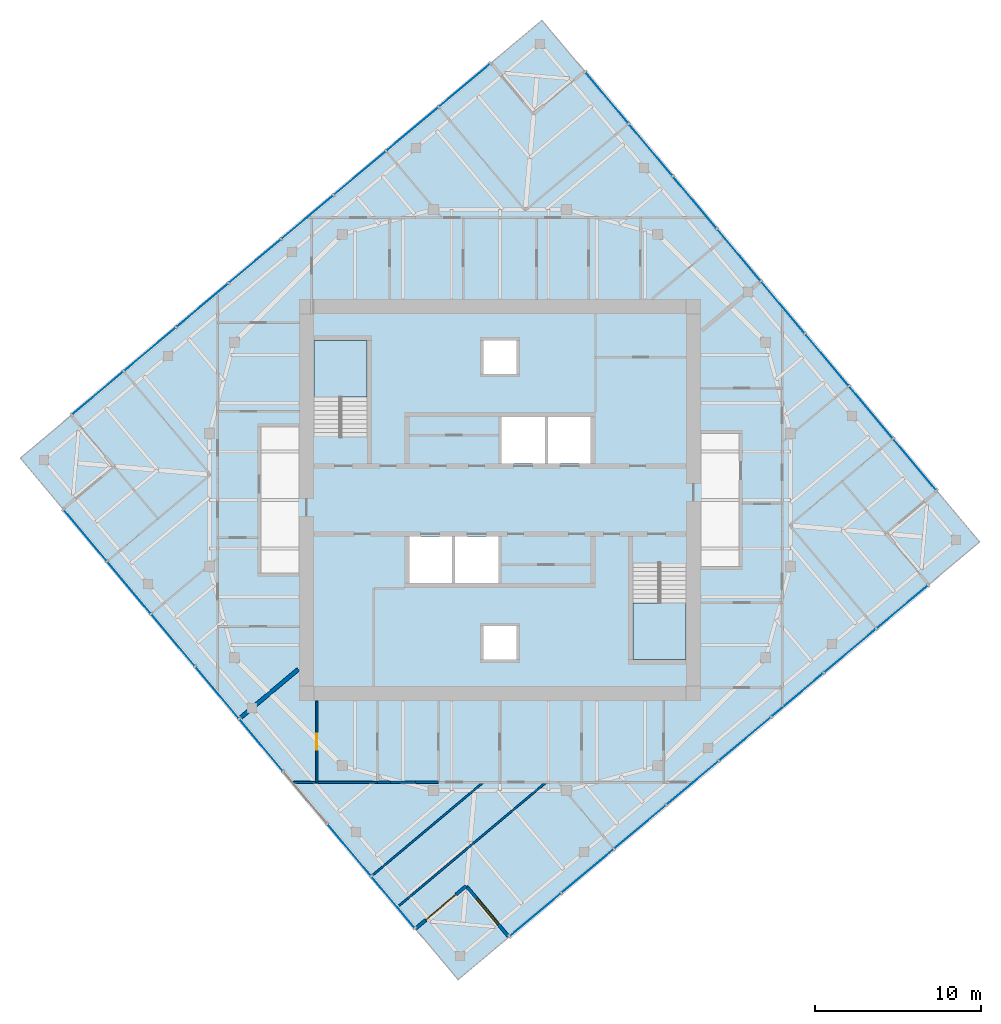
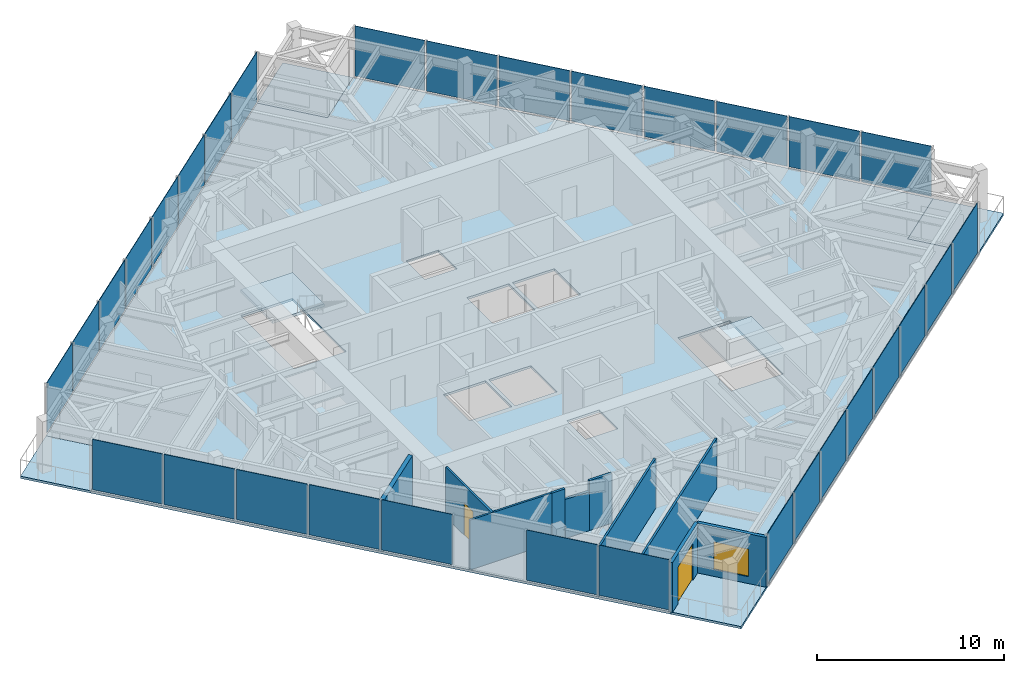
# One storey, part 6 of 12: 31 plates, 10 walls, 7 slabs, 2 doors, 1 window, 3 openings, 6 elements without a shape of their own.
"""IFC4 building model written with IfcOpenShell, lengths in metres."""

from ifc_helpers import new_model, si_unit, direction, frame, frame_2d, origin, origin_2d, place, context, subcontext, project, spatial, polyline, rectangle, outline, extrude, material, layer, layer_set, type_object, element, fill, aggregate, save


model = new_model("IFC4")

# Units and contexts
model_context = context("Model", 3, precision=1e-05, world=origin(), true_north=direction((0.0, 1.0)))
body_context = subcontext(model_context, "Body", "Model", "MODEL_VIEW")
ifc_project = project(units=[si_unit("LENGTHUNIT", "METRE"), si_unit("AREAUNIT", "SQUARE_METRE"), si_unit("VOLUMEUNIT", "CUBIC_METRE"), si_unit("PLANEANGLEUNIT", "RADIAN"), si_unit("MASSUNIT", "GRAM", prefix="KILO")], contexts=[model_context])

# Site, building, storey
site_placement = place(None, origin())
site = spatial("IfcSite", under=ifc_project, at=site_placement, CompositionType="ELEMENT")
building_placement = place(site_placement, origin())
building = spatial("IfcBuilding", under=site, at=building_placement, Name="Torsade Residences", CompositionType="ELEMENT")
storey_placement = place(building_placement, frame((0.0, 0.0, 279.39990234375)))
storey = spatial("IfcBuildingStorey", under=building, at=storey_placement, Name="L77", CompositionType="ELEMENT", Elevation=279.39990234375)

# Slab
ifc_material_1 = material(Name="Concrete 40 MPa", Category="concrete")
ifc_layer_1 = layer(ifc_material_1, 0.14990234375)
ifc_layer_set_1 = layer_set([ifc_layer_1], Name="Concrete 40 MPa")
slab_type_1 = type_object("IfcSlabType", Name="COMPOSITE FLOOR SLAB 150", PredefinedType="FLOOR", material=ifc_layer_set_1)
slab_1_placement = place(storey_placement, frame((0.0, 0.0, -0.14990234375)))
element("IfcSlab", 1, at=slab_1_placement, inside=storey, type_object=slab_type_1, Name="Floor slab L77", PredefinedType="FLOOR", context=body_context, shape_type="SweptSolid", body=[
    extrude(outline(polyline([(40.537353515625, 3.690185546875), (65.81689453125, 24.902099609375), (63.245849609375, 27.96630859375), (66.309814453125, 30.537353515625), (45.097900390625, 55.81689453125), (42.03369140625, 53.245849609375), (39.462646484375, 56.309814453125), (14.18310546875, 35.097900390625), (16.754150390625, 32.03369140625), (13.690185546875, 29.462646484375), (34.902099609375, 4.18310546875), (37.96630859375, 6.754150390625), (40.537353515625, 3.690185546875)]), holes=[polyline([(51.199951171875, 26.1201171875), (48.0, 26.1201171875), (48.0, 20.39990234375), (51.199951171875, 20.39990234375), (51.199951171875, 26.1201171875)]), polyline([(45.5, 35.0), (42.89990234375, 35.0), (42.89990234375, 32.199951171875), (45.5, 32.199951171875), (45.5, 35.0)]), polyline([(42.699951171875, 35.0), (40.10009765625, 35.0), (40.10009765625, 32.199951171875), (42.699951171875, 32.199951171875), (42.699951171875, 35.0)]), polyline([(41.0, 22.39990234375), (39.0, 22.39990234375), (39.0, 20.39990234375), (41.0, 20.39990234375), (41.0, 22.39990234375)]), polyline([(41.0, 39.60009765625), (39.0, 39.60009765625), (39.0, 37.60009765625), (41.0, 37.60009765625), (41.0, 39.60009765625)]), polyline([(39.89990234375, 27.800048828125), (37.300048828125, 27.800048828125), (37.300048828125, 25.0), (39.89990234375, 25.0), (39.89990234375, 27.800048828125)]), polyline([(37.10009765625, 27.800048828125), (34.5, 27.800048828125), (34.5, 25.0), (37.10009765625, 25.0), (37.10009765625, 27.800048828125)]), polyline([(32.0, 39.60009765625), (28.800048828125, 39.60009765625), (28.800048828125, 33.8798828125), (32.0, 33.8798828125), (32.0, 39.60009765625)])]), origin(), (0.0, 0.0, 1.0), 0.14990234375),
])

# Curtain wall, plates
ifc_material_2 = material(Name="Aluminium and glass", Category="aluminium")
curtain_wall_type = type_object("IfcCurtainWallType", Name="FRITTED GLASS CURTAIN WALL HIGH ZONE", PredefinedType="NOTDEFINED", material=ifc_material_2)
curtain_wall_1_placement = place(storey_placement, origin())
curtain_wall_1 = element("IfcCurtainWall", 2, at=curtain_wall_1_placement, inside=storey, type_object=curtain_wall_type, Name="Curtain wall L77 face 1", PredefinedType="NOTDEFINED")
ifc_material_3 = material(Name="Laminated glass", Category="glass")
ifc_layer_2 = layer(ifc_material_3, 0.031982421875)
ifc_layer_set_2 = layer_set([ifc_layer_2], Name="Laminated glass")
plate_type_1 = type_object("IfcPlateType", Name="FRITTED GLASS PANEL", PredefinedType="CURTAIN_PANEL", material=ifc_layer_set_2)
plate_1_placement = place(storey_placement, frame((42.136474609375, 5.031982421875, 0.1201171875), z_axis=(0.0, 0.0, 1.0), x_axis=(0.766044437106, 0.642787616853, 0.0)))
plate_1 = element("IfcPlate", 3, at=plate_1_placement, type_object=plate_type_1, Name="Panel 1", PredefinedType="CURTAIN_PANEL", context=body_context, shape_type="SweptSolid", body=[
    extrude(rectangle(XDim=3.97509765625, YDim=0.031982421875, at=origin_2d()), origin(), (0.0, 0.0, 1.0), 3.280029296875),
])
plate_2_placement = place(storey_placement, frame((48.437255859375, 10.31884765625, 0.1201171875), z_axis=(0.0, 0.0, 1.0), x_axis=(0.766044437106, 0.642787616853, 0.0)))
plate_2 = element("IfcPlate", 4, at=plate_2_placement, type_object=plate_type_1, Name="Panel 3", PredefinedType="CURTAIN_PANEL", context=body_context, shape_type="SweptSolid", body=[
    extrude(rectangle(XDim=4.02490234375, YDim=0.031982421875, at=origin_2d()), origin(), (0.0, 0.0, 1.0), 3.280029296875),
])
plate_3_placement = place(storey_placement, frame((51.59716796875, 12.970458984375, 0.1201171875), z_axis=(0.0, 0.0, 1.0), x_axis=(0.766044437106, 0.642787616853, 0.0)))
plate_3 = element("IfcPlate", 5, at=plate_3_placement, type_object=plate_type_1, Name="Panel 4", PredefinedType="CURTAIN_PANEL", context=body_context, shape_type="SweptSolid", body=[
    extrude(rectangle(XDim=4.02490234375, YDim=0.031982421875, at=origin_2d()), origin(), (0.0, 0.0, 1.0), 3.280029296875),
])
plate_4_placement = place(storey_placement, frame((54.757080078125, 15.621826171875, 0.1201171875), z_axis=(0.0, 0.0, 1.0), x_axis=(0.766044437106, 0.642787616853, 0.0)))
plate_4 = element("IfcPlate", 6, at=plate_4_placement, type_object=plate_type_1, Name="Panel 5", PredefinedType="CURTAIN_PANEL", context=body_context, shape_type="SweptSolid", body=[
    extrude(rectangle(XDim=4.02490234375, YDim=0.031982421875, at=origin_2d()), origin(), (0.0, 0.0, 1.0), 3.280029296875),
])
plate_5_placement = place(storey_placement, frame((61.076904296875, 20.9248046875, 0.1201171875), z_axis=(0.0, 0.0, 1.0), x_axis=(0.766044437106, 0.642787616853, 0.0)))
plate_5 = element("IfcPlate", 7, at=plate_5_placement, type_object=plate_type_1, Name="Panel 7", PredefinedType="CURTAIN_PANEL", context=body_context, shape_type="SweptSolid", body=[
    extrude(rectangle(XDim=4.02490234375, YDim=0.031982421875, at=origin_2d()), origin(), (0.0, 0.0, 1.0), 3.280029296875),
])
plate_6_placement = place(storey_placement, frame((64.2177734375, 23.560302734375, 0.1201171875), z_axis=(0.0, 0.0, 1.0), x_axis=(0.766044437106, 0.642787616853, 0.0)))
plate_6 = element("IfcPlate", 8, at=plate_6_placement, type_object=plate_type_1, Name="Panel 8", PredefinedType="CURTAIN_PANEL", context=body_context, shape_type="SweptSolid", body=[
    extrude(rectangle(XDim=3.97509765625, YDim=0.031982421875, at=origin_2d()), origin(), (0.0, 0.0, 1.0), 3.280029296875),
])

curtain_wall_2_placement = place(storey_placement, origin())
curtain_wall_2 = element("IfcCurtainWall", 9, at=curtain_wall_2_placement, inside=storey, type_object=curtain_wall_type, Name="Curtain wall L77 face 4", PredefinedType="NOTDEFINED")
plate_7_placement = place(storey_placement, frame((64.968017578125, 32.136474609375, 0.1201171875), z_axis=(0.0, 0.0, 1.0), x_axis=(-0.642787616853, 0.766044437106, 0.0)))
plate_7 = element("IfcPlate", 10, at=plate_7_placement, type_object=plate_type_1, Name="Panel 1", PredefinedType="CURTAIN_PANEL", context=body_context, shape_type="SweptSolid", body=[
    extrude(rectangle(XDim=3.97509765625, YDim=0.031982421875, at=origin_2d()), origin(), (0.0, 0.0, 1.0), 3.280029296875),
])
plate_8_placement = place(storey_placement, frame((59.68115234375, 38.437255859375, 0.1201171875), z_axis=(0.0, 0.0, 1.0), x_axis=(-0.642787616853, 0.766044437106, 0.0)))
plate_8 = element("IfcPlate", 11, at=plate_8_placement, type_object=plate_type_1, Name="Panel 3", PredefinedType="CURTAIN_PANEL", context=body_context, shape_type="SweptSolid", body=[
    extrude(rectangle(XDim=4.02490234375, YDim=0.031982421875, at=origin_2d()), origin(), (0.0, 0.0, 1.0), 3.280029296875),
])
plate_9_placement = place(storey_placement, frame((57.029541015625, 41.59716796875, 0.1201171875), z_axis=(0.0, 0.0, 1.0), x_axis=(-0.642787616853, 0.766044437106, 0.0)))
plate_9 = element("IfcPlate", 12, at=plate_9_placement, type_object=plate_type_1, Name="Panel 4", PredefinedType="CURTAIN_PANEL", context=body_context, shape_type="SweptSolid", body=[
    extrude(rectangle(XDim=4.02490234375, YDim=0.031982421875, at=origin_2d()), origin(), (0.0, 0.0, 1.0), 3.280029296875),
])
plate_10_placement = place(storey_placement, frame((54.378173828125, 44.757080078125, 0.1201171875), z_axis=(0.0, 0.0, 1.0), x_axis=(-0.642787616853, 0.766044437106, 0.0)))
plate_10 = element("IfcPlate", 13, at=plate_10_placement, type_object=plate_type_1, Name="Panel 5", PredefinedType="CURTAIN_PANEL", context=body_context, shape_type="SweptSolid", body=[
    extrude(rectangle(XDim=4.02490234375, YDim=0.031982421875, at=origin_2d()), origin(), (0.0, 0.0, 1.0), 3.280029296875),
])
plate_11_placement = place(storey_placement, frame((49.0751953125, 51.076904296875, 0.1201171875), z_axis=(0.0, 0.0, 1.0), x_axis=(-0.642787616853, 0.766044437106, 0.0)))
plate_11 = element("IfcPlate", 14, at=plate_11_placement, type_object=plate_type_1, Name="Panel 7", PredefinedType="CURTAIN_PANEL", context=body_context, shape_type="SweptSolid", body=[
    extrude(rectangle(XDim=4.02490234375, YDim=0.031982421875, at=origin_2d()), origin(), (0.0, 0.0, 1.0), 3.280029296875),
])
plate_12_placement = place(storey_placement, frame((46.439697265625, 54.2177734375, 0.1201171875), z_axis=(0.0, 0.0, 1.0), x_axis=(-0.642787616853, 0.766044437106, 0.0)))
plate_12 = element("IfcPlate", 15, at=plate_12_placement, type_object=plate_type_1, Name="Panel 8", PredefinedType="CURTAIN_PANEL", context=body_context, shape_type="SweptSolid", body=[
    extrude(rectangle(XDim=3.97509765625, YDim=0.031982421875, at=origin_2d()), origin(), (0.0, 0.0, 1.0), 3.280029296875),
])

curtain_wall_3_placement = place(storey_placement, origin())
curtain_wall_3 = element("IfcCurtainWall", 16, at=curtain_wall_3_placement, inside=storey, type_object=curtain_wall_type, Name="Curtain wall L77 face 7", PredefinedType="NOTDEFINED")
plate_13_placement = place(storey_placement, frame((37.863525390625, 54.968017578125, 0.1201171875), z_axis=(0.0, 0.0, 1.0), x_axis=(-0.766044437106, -0.642787616853, 0.0)))
plate_13 = element("IfcPlate", 17, at=plate_13_placement, type_object=plate_type_1, Name="Panel 1", PredefinedType="CURTAIN_PANEL", context=body_context, shape_type="SweptSolid", body=[
    extrude(rectangle(XDim=3.97509765625, YDim=0.031982421875, at=origin_2d()), origin(), (0.0, 0.0, 1.0), 3.280029296875),
])
plate_14_placement = place(storey_placement, frame((31.562744140625, 49.68115234375, 0.1201171875), z_axis=(0.0, 0.0, 1.0), x_axis=(-0.766044437106, -0.642787616853, 0.0)))
plate_14 = element("IfcPlate", 18, at=plate_14_placement, type_object=plate_type_1, Name="Panel 3", PredefinedType="CURTAIN_PANEL", context=body_context, shape_type="SweptSolid", body=[
    extrude(rectangle(XDim=4.02490234375, YDim=0.031982421875, at=origin_2d()), origin(), (0.0, 0.0, 1.0), 3.280029296875),
])
plate_15_placement = place(storey_placement, frame((28.40283203125, 47.029541015625, 0.1201171875), z_axis=(0.0, 0.0, 1.0), x_axis=(-0.766044437106, -0.642787616853, 0.0)))
plate_15 = element("IfcPlate", 19, at=plate_15_placement, type_object=plate_type_1, Name="Panel 4", PredefinedType="CURTAIN_PANEL", context=body_context, shape_type="SweptSolid", body=[
    extrude(rectangle(XDim=4.02490234375, YDim=0.031982421875, at=origin_2d()), origin(), (0.0, 0.0, 1.0), 3.280029296875),
])
plate_16_placement = place(storey_placement, frame((25.242919921875, 44.378173828125, 0.1201171875), z_axis=(0.0, 0.0, 1.0), x_axis=(-0.766044437106, -0.642787616853, 0.0)))
plate_16 = element("IfcPlate", 20, at=plate_16_placement, type_object=plate_type_1, Name="Panel 5", PredefinedType="CURTAIN_PANEL", context=body_context, shape_type="SweptSolid", body=[
    extrude(rectangle(XDim=4.02490234375, YDim=0.031982421875, at=origin_2d()), origin(), (0.0, 0.0, 1.0), 3.280029296875),
])
plate_17_placement = place(storey_placement, frame((18.923095703125, 39.0751953125, 0.1201171875), z_axis=(0.0, 0.0, 1.0), x_axis=(-0.766044437106, -0.642787616853, 0.0)))
plate_17 = element("IfcPlate", 21, at=plate_17_placement, type_object=plate_type_1, Name="Panel 7", PredefinedType="CURTAIN_PANEL", context=body_context, shape_type="SweptSolid", body=[
    extrude(rectangle(XDim=4.02490234375, YDim=0.031982421875, at=origin_2d()), origin(), (0.0, 0.0, 1.0), 3.280029296875),
])
plate_18_placement = place(storey_placement, frame((15.7822265625, 36.439697265625, 0.1201171875), z_axis=(0.0, 0.0, 1.0), x_axis=(-0.766044437106, -0.642787616853, 0.0)))
plate_18 = element("IfcPlate", 22, at=plate_18_placement, type_object=plate_type_1, Name="Panel 8", PredefinedType="CURTAIN_PANEL", context=body_context, shape_type="SweptSolid", body=[
    extrude(rectangle(XDim=3.97509765625, YDim=0.031982421875, at=origin_2d()), origin(), (0.0, 0.0, 1.0), 3.280029296875),
])

curtain_wall_4_placement = place(storey_placement, origin())
curtain_wall_4 = element("IfcCurtainWall", 23, at=curtain_wall_4_placement, inside=storey, type_object=curtain_wall_type, Name="Curtain wall L77 face 10", PredefinedType="NOTDEFINED")
plate_19_placement = place(storey_placement, frame((15.031982421875, 27.863525390625, 0.1201171875), z_axis=(0.0, 0.0, 1.0), x_axis=(0.642787616853, -0.766044437106, 0.0)))
plate_19 = element("IfcPlate", 24, at=plate_19_placement, type_object=plate_type_1, Name="Panel 1", PredefinedType="CURTAIN_PANEL", context=body_context, shape_type="SweptSolid", body=[
    extrude(rectangle(XDim=3.97509765625, YDim=0.031982421875, at=origin_2d()), origin(), (0.0, 0.0, 1.0), 3.280029296875),
])
plate_20_placement = place(storey_placement, frame((20.31884765625, 21.562744140625, 0.1201171875), z_axis=(0.0, 0.0, 1.0), x_axis=(0.642787616853, -0.766044437106, 0.0)))
plate_20 = element("IfcPlate", 25, at=plate_20_placement, type_object=plate_type_1, Name="Panel 3", PredefinedType="CURTAIN_PANEL", context=body_context, shape_type="SweptSolid", body=[
    extrude(rectangle(XDim=4.02490234375, YDim=0.031982421875, at=origin_2d()), origin(), (0.0, 0.0, 1.0), 3.280029296875),
])
plate_21_placement = place(storey_placement, frame((22.970458984375, 18.40283203125, 0.1201171875), z_axis=(0.0, 0.0, 1.0), x_axis=(0.642787616853, -0.766044437106, 0.0)))
plate_21 = element("IfcPlate", 26, at=plate_21_placement, type_object=plate_type_1, Name="Panel 4", PredefinedType="CURTAIN_PANEL", context=body_context, shape_type="SweptSolid", body=[
    extrude(rectangle(XDim=4.02490234375, YDim=0.031982421875, at=origin_2d()), origin(), (0.0, 0.0, 1.0), 3.280029296875),
])
plate_22_placement = place(storey_placement, frame((25.621826171875, 15.242919921875, 0.1201171875), z_axis=(0.0, 0.0, 1.0), x_axis=(0.642787616853, -0.766044437106, 0.0)))
plate_22 = element("IfcPlate", 27, at=plate_22_placement, type_object=plate_type_1, Name="Panel 5", PredefinedType="CURTAIN_PANEL", context=body_context, shape_type="SweptSolid", body=[
    extrude(rectangle(XDim=4.02490234375, YDim=0.031982421875, at=origin_2d()), origin(), (0.0, 0.0, 1.0), 3.280029296875),
])
plate_23_placement = place(storey_placement, frame((30.9248046875, 8.923095703125, 0.1201171875), z_axis=(0.0, 0.0, 1.0), x_axis=(0.642787616853, -0.766044437106, 0.0)))
plate_23 = element("IfcPlate", 28, at=plate_23_placement, type_object=plate_type_1, Name="Panel 7", PredefinedType="CURTAIN_PANEL", context=body_context, shape_type="SweptSolid", body=[
    extrude(rectangle(XDim=4.02490234375, YDim=0.031982421875, at=origin_2d()), origin(), (0.0, 0.0, 1.0), 3.280029296875),
])
plate_24_placement = place(storey_placement, frame((33.560302734375, 5.7822265625, 0.1201171875), z_axis=(0.0, 0.0, 1.0), x_axis=(0.642787616853, -0.766044437106, 0.0)))
plate_24 = element("IfcPlate", 29, at=plate_24_placement, type_object=plate_type_1, Name="Panel 8", PredefinedType="CURTAIN_PANEL", context=body_context, shape_type="SweptSolid", body=[
    extrude(rectangle(XDim=3.97509765625, YDim=0.031982421875, at=origin_2d()), origin(), (0.0, 0.0, 1.0), 3.280029296875),
])

# Plate
ifc_material_4 = material(Name="Laminated glass", Category="glass")
ifc_layer_3 = layer(ifc_material_4, 0.0400390625)
ifc_layer_set_3 = layer_set([ifc_layer_3], Name="Laminated glass")
plate_type_2 = type_object("IfcPlateType", Name="OPERABLE VENT PANEL", PredefinedType="CURTAIN_PANEL", material=ifc_layer_set_3)
plate_25_placement = place(storey_placement, frame((45.27734375, 7.667236328125, 0.1201171875), z_axis=(0.0, 0.0, 1.0), x_axis=(0.766044437106, 0.642787616853, 0.0)))
plate_25 = element("IfcPlate", 30, at=plate_25_placement, type_object=plate_type_2, Name="Panel 2", PredefinedType="CURTAIN_PANEL", context=body_context, shape_type="SweptSolid", body=[
    extrude(rectangle(XDim=4.02490234375, YDim=0.0400390625, at=origin_2d()), origin(), (0.0, 0.0, 1.0), 3.280029296875),
])

plate_26_placement = place(storey_placement, frame((57.9169921875, 18.2734375, 0.1201171875), z_axis=(0.0, 0.0, 1.0), x_axis=(0.766044437106, 0.642787616853, 0.0)))
plate_26 = element("IfcPlate", 31, at=plate_26_placement, type_object=plate_type_2, Name="Panel 6", PredefinedType="CURTAIN_PANEL", context=body_context, shape_type="SweptSolid", body=[
    extrude(rectangle(XDim=4.02490234375, YDim=0.0400390625, at=origin_2d()), origin(), (0.0, 0.0, 1.0), 3.280029296875),
])

aggregate(curtain_wall_1, [plate_1, plate_25, plate_2, plate_3, plate_4, plate_26, plate_5, plate_6])

plate_27_placement = place(storey_placement, frame((62.332763671875, 35.27734375, 0.1201171875), z_axis=(0.0, 0.0, 1.0), x_axis=(-0.642787616853, 0.766044437106, 0.0)))
plate_27 = element("IfcPlate", 32, at=plate_27_placement, type_object=plate_type_2, Name="Panel 2", PredefinedType="CURTAIN_PANEL", context=body_context, shape_type="SweptSolid", body=[
    extrude(rectangle(XDim=4.02490234375, YDim=0.0400390625, at=origin_2d()), origin(), (0.0, 0.0, 1.0), 3.280029296875),
])

plate_28_placement = place(storey_placement, frame((51.7265625, 47.9169921875, 0.1201171875), z_axis=(0.0, 0.0, 1.0), x_axis=(-0.642787616853, 0.766044437106, 0.0)))
plate_28 = element("IfcPlate", 33, at=plate_28_placement, type_object=plate_type_2, Name="Panel 6", PredefinedType="CURTAIN_PANEL", context=body_context, shape_type="SweptSolid", body=[
    extrude(rectangle(XDim=4.02490234375, YDim=0.0400390625, at=origin_2d()), origin(), (0.0, 0.0, 1.0), 3.280029296875),
])

aggregate(curtain_wall_2, [plate_7, plate_27, plate_8, plate_9, plate_10, plate_28, plate_11, plate_12])

plate_29_placement = place(storey_placement, frame((34.72265625, 52.332763671875, 0.1201171875), z_axis=(0.0, 0.0, 1.0), x_axis=(-0.766044437106, -0.642787616853, 0.0)))
plate_29 = element("IfcPlate", 34, at=plate_29_placement, type_object=plate_type_2, Name="Panel 2", PredefinedType="CURTAIN_PANEL", context=body_context, shape_type="SweptSolid", body=[
    extrude(rectangle(XDim=4.02490234375, YDim=0.0400390625, at=origin_2d()), origin(), (0.0, 0.0, 1.0), 3.280029296875),
])

plate_30_placement = place(storey_placement, frame((22.0830078125, 41.7265625, 0.1201171875), z_axis=(0.0, 0.0, 1.0), x_axis=(-0.766044437106, -0.642787616853, 0.0)))
plate_30 = element("IfcPlate", 35, at=plate_30_placement, type_object=plate_type_2, Name="Panel 6", PredefinedType="CURTAIN_PANEL", context=body_context, shape_type="SweptSolid", body=[
    extrude(rectangle(XDim=4.02490234375, YDim=0.0400390625, at=origin_2d()), origin(), (0.0, 0.0, 1.0), 3.280029296875),
])

aggregate(curtain_wall_3, [plate_13, plate_29, plate_14, plate_15, plate_16, plate_30, plate_17, plate_18])

plate_31_placement = place(storey_placement, frame((17.667236328125, 24.72265625, 0.1201171875), z_axis=(0.0, 0.0, 1.0), x_axis=(0.642787616853, -0.766044437106, 0.0)))
plate_31 = element("IfcPlate", 36, at=plate_31_placement, type_object=plate_type_2, Name="Panel 2", PredefinedType="CURTAIN_PANEL", context=body_context, shape_type="SweptSolid", body=[
    extrude(rectangle(XDim=4.02490234375, YDim=0.0400390625, at=origin_2d()), origin(), (0.0, 0.0, 1.0), 3.280029296875),
])

aggregate(curtain_wall_4, [plate_19, plate_31, plate_20, plate_21, plate_22, plate_23, plate_24])

# Stair, slab
ifc_material_5 = material(Name="Precast concrete 40 MPa", Category="concrete")
stair_type = type_object("IfcStairType", Name="HALF-TURN FIRE STAIR 1500x3400", PredefinedType="HALF_TURN_STAIR", material=ifc_material_5)
stair_1_placement = place(storey_placement, origin())
stair_1 = element("IfcStair", 37, at=stair_1_placement, inside=storey, type_object=stair_type, Name="Stair ST1 L77", PredefinedType="HALF_TURN_STAIR")
ifc_material_6 = material(Name="Precast concrete 40 MPa", Category="concrete")
ifc_layer_4 = layer(ifc_material_6, 0.179931640625)
ifc_layer_set_4 = layer_set([ifc_layer_4], Name="Precast concrete 40 MPa")
slab_type_2 = type_object("IfcSlabType", Name="PRECAST STAIR LANDING 180", PredefinedType="LANDING", material=ifc_layer_set_4)
slab_2_placement = place(storey_placement, frame((0.0, 0.0, 1.52001953125)))
slab_2 = element("IfcSlab", 38, at=slab_2_placement, type_object=slab_type_2, Name="ST1 landing 1", PredefinedType="LANDING", context=body_context, shape_type="SweptSolid", body=[
    extrude(outline(polyline([(28.800048828125, 36.2099609375), (32.0, 36.2099609375), (32.0, 39.60009765625), (28.800048828125, 39.60009765625), (28.800048828125, 36.2099609375)])), origin(), (0.0, 0.0, 1.0), 0.18017578125),
])
aggregate(stair_1, [slab_2])

stair_2_placement = place(storey_placement, origin())
stair_2 = element("IfcStair", 39, at=stair_2_placement, inside=storey, type_object=stair_type, Name="Stair ST2 L77", PredefinedType="HALF_TURN_STAIR")
slab_3_placement = place(storey_placement, frame((0.0, 0.0, 1.52001953125)))
slab_3 = element("IfcSlab", 40, at=slab_3_placement, type_object=slab_type_2, Name="ST2 landing 1", PredefinedType="LANDING", context=body_context, shape_type="SweptSolid", body=[
    extrude(outline(polyline([(48.0, 20.39990234375), (51.199951171875, 20.39990234375), (51.199951171875, 23.7900390625), (48.0, 23.7900390625), (48.0, 20.39990234375)])), origin(), (0.0, 0.0, 1.0), 0.18017578125),
])
aggregate(stair_2, [slab_3])

# Slabs
ifc_material_7 = material(Name="Concrete 40 MPa", Category="concrete")
ifc_layer_5 = layer(ifc_material_7, 0.14990234375)
ifc_layer_set_5 = layer_set([ifc_layer_5], Name="Concrete 40 MPa")
slab_type_3 = type_object("IfcSlabType", Name="TERRACE SLAB 150", PredefinedType="FLOOR", material=ifc_layer_set_5)
slab_4_placement = place(storey_placement, frame((0.0, 0.0, -0.14990234375)))
element("IfcSlab", 41, at=slab_4_placement, inside=storey, type_object=slab_type_3, Name="Corner terrace slab SE L77", PredefinedType="FLOOR", context=body_context, shape_type="SweptSolid", body=[
    extrude(outline(polyline([(65.81689453125, 24.902099609375), (68.881103515625, 27.47314453125), (66.309814453125, 30.537353515625), (63.245849609375, 27.96630859375), (65.81689453125, 24.902099609375)])), origin(), (0.0, 0.0, 1.0), 0.14990234375),
])
slab_5_placement = place(storey_placement, frame((0.0, 0.0, -0.14990234375)))
element("IfcSlab", 42, at=slab_5_placement, inside=storey, type_object=slab_type_3, Name="Corner terrace slab NE L77", PredefinedType="FLOOR", context=body_context, shape_type="SweptSolid", body=[
    extrude(outline(polyline([(42.03369140625, 53.245849609375), (45.097900390625, 55.81689453125), (42.52685546875, 58.881103515625), (39.462646484375, 56.309814453125), (42.03369140625, 53.245849609375)])), origin(), (0.0, 0.0, 1.0), 0.14990234375),
])
slab_6_placement = place(storey_placement, frame((0.0, 0.0, -0.14990234375)))
element("IfcSlab", 43, at=slab_6_placement, inside=storey, type_object=slab_type_3, Name="Corner terrace slab NW L77", PredefinedType="FLOOR", context=body_context, shape_type="SweptSolid", body=[
    extrude(outline(polyline([(13.690185546875, 29.462646484375), (16.754150390625, 32.03369140625), (14.18310546875, 35.097900390625), (11.118896484375, 32.52685546875), (13.690185546875, 29.462646484375)])), origin(), (0.0, 0.0, 1.0), 0.14990234375),
])
slab_7_placement = place(storey_placement, frame((0.0, 0.0, -0.14990234375)))
element("IfcSlab", 44, at=slab_7_placement, inside=storey, type_object=slab_type_3, Name="Corner terrace slab SW L77", PredefinedType="FLOOR", context=body_context, shape_type="SweptSolid", body=[
    extrude(outline(polyline([(37.47314453125, 1.118896484375), (40.537353515625, 3.690185546875), (37.96630859375, 6.754150390625), (34.902099609375, 4.18310546875), (37.47314453125, 1.118896484375)])), origin(), (0.0, 0.0, 1.0), 0.14990234375),
])

# Wall, opening, door
ifc_material_8 = material(Name="Plasterboard on steel stud", Category="steel")
ifc_layer_6 = layer(ifc_material_8, 0.1201171875)
ifc_layer_set_6 = layer_set([ifc_layer_6], Name="Plasterboard on steel stud")
wall_type_1 = type_object("IfcWallType", Name="PARTITION 120", PredefinedType="PARTITIONING", material=ifc_layer_set_6)
wall_1_placement = place(storey_placement, frame((28.972412109375, 13.0, 0.0), z_axis=(0.0, 0.0, 1.0), x_axis=(0.0, 1.0, 0.0)))
wall_1 = element("IfcWall", 45, at=wall_1_placement, inside=storey, type_object=wall_type_1, Name="Partition L77", PredefinedType="PARTITIONING", context=body_context, shape_type="SweptSolid", body=[
    extrude(rectangle(XDim=4.89990234375, YDim=0.1201171875, at=frame_2d((2.449951171875, 0.0))), origin(), (0.0, 0.0, 1.0), 3.25),
])
opening_1_placement = place(wall_1_placement, frame((1.969970703125, 0.0, 0.0)))
opening_1 = element("IfcOpeningElement", 46, at=opening_1_placement, cuts=wall_1, Name="Opening D05", PredefinedType="OPENING", context=body_context, shape_type="SweptSolid", body=[
    extrude(rectangle(XDim=0.9599609375, YDim=2.10009765625, at=frame_2d((0.47998046875, 1.050048828125))), frame((0.0, 0.070068359375, 0.0), z_axis=(0.0, -1.0, 0.0), x_axis=(1.0, 0.0, 0.0)), (0.0, 0.0, 1.0), 0.14013671875),
])
ifc_material_9 = material(Name="Hollow-core timber door in a steel cavity frame", Category="steel")
door_type_1 = type_object("IfcDoorType", Name="BATHROOM CAVITY SLIDING DOOR 960", OperationType="SLIDING_TO_LEFT", PredefinedType="DOOR", material=ifc_material_9)
door_1_placement = place(opening_1_placement, origin())
door_1 = element("IfcDoor", 47, at=door_1_placement, inside=storey, type_object=door_type_1, Name="Door Ensuite to Dressing room", OperationType="SLIDING_TO_LEFT", OverallHeight=2.10009765625, OverallWidth=0.9599609375, PredefinedType="DOOR", context=body_context, shape_type="SweptSolid", body=[
    extrude(rectangle(XDim=0.9599609375, YDim=2.10009765625, at=frame_2d((0.47998046875, 1.050048828125))), frame((0.0, 0.02490234375, 0.0), z_axis=(0.0, -1.0, 0.0), x_axis=(1.0, 0.0, 0.0)), (0.0, 0.0, 1.0), 0.050048828125),
])
fill(opening_1, door_1)

# Walls
wall_2_placement = place(storey_placement, frame((32.625, 13.0, 0.0), z_axis=(0.0, 0.0, 1.0), x_axis=(-1.0, 0.0, 0.0)))
element("IfcWall", 48, at=wall_2_placement, inside=storey, type_object=wall_type_1, Name="Partition L77", PredefinedType="PARTITIONING", context=body_context, shape_type="SweptSolid", body=[
    extrude(rectangle(XDim=5.06884765625, YDim=0.1201171875, at=frame_2d((2.534423828125, 0.0))), origin(), (0.0, 0.0, 1.0), 3.25),
])
wall_3_placement = place(storey_placement, frame((33.843994140625, 5.50634765625, 0.0), z_axis=(0.0, 0.0, 1.0), x_axis=(0.766038517939, 0.642794670975, 0.0)))
element("IfcWall", 49, at=wall_3_placement, inside=storey, type_object=wall_type_1, Name="Partition L77", PredefinedType="PARTITIONING", context=body_context, shape_type="SweptSolid", body=[
    extrude(rectangle(XDim=11.657958984375, YDim=0.1201171875, at=frame_2d((5.8291015625, 0.0))), origin(), (0.0, 0.0, 1.0), 3.25),
])
wall_4_placement = place(storey_placement, frame((38.9921875, 13.0, 0.0), z_axis=(0.0, 0.0, 1.0), x_axis=(-0.766046785022, -0.642784818704, 0.0)))
element("IfcWall", 50, at=wall_4_placement, inside=storey, type_object=wall_type_1, Name="Partition L77", PredefinedType="PARTITIONING", context=body_context, shape_type="SweptSolid", body=[
    extrude(rectangle(XDim=8.760498046875, YDim=0.1201171875, at=frame_2d((4.38037109375, 0.0))), origin(), (0.0, 0.0, 1.0), 3.25),
])
ifc_material_10 = material(Name="Masonry-lined stud party wall", Category="masonry")
ifc_layer_7 = layer(ifc_material_10, 0.25)
ifc_layer_set_7 = layer_set([ifc_layer_7], Name="Masonry-lined stud party wall")
wall_type_2 = type_object("IfcWallType", Name="PARTY WALL 250", PredefinedType="PARTITIONING", material=ifc_layer_set_7)
wall_5_placement = place(storey_placement, frame((24.296142578125, 16.82275390625, 0.0), z_axis=(0.0, 0.0, 1.0), x_axis=(0.76603440109, 0.64279957712, 0.0)))
element("IfcWall", 51, at=wall_5_placement, inside=storey, type_object=wall_type_2, Name="Party wall L77", PredefinedType="PARTITIONING", context=body_context, shape_type="SweptSolid", body=[
    extrude(rectangle(XDim=4.6396484375, YDim=0.25, at=frame_2d((2.31982421875, 0.0))), origin(), (0.0, 0.0, 1.0), 3.25),
])
ifc_material_11 = material(Name="Reinforced blockwork", Category="masonry")
ifc_layer_8 = layer(ifc_material_11, 0.14990234375)
ifc_layer_set_8 = layer_set([ifc_layer_8], Name="Reinforced blockwork")
wall_type_3 = type_object("IfcWallType", Name="SERVICE ROOM WALL 150", PredefinedType="SOLIDWALL", material=ifc_layer_set_8)
wall_6_placement = place(storey_placement, frame((36.300537109375, 13.0, 0.0), z_axis=(0.0, 0.0, 1.0), x_axis=(-1.0, 0.0, 0.0)))
element("IfcWall", 52, at=wall_6_placement, inside=storey, type_object=wall_type_3, Name="Service room wall L77", PredefinedType="SOLIDWALL", context=body_context, shape_type="SweptSolid", body=[
    extrude(rectangle(XDim=1.3837890625, YDim=0.14990234375, at=frame_2d((0.69189453125, 0.0))), origin(), (0.0, 0.0, 1.0), 3.25),
])
wall_7_placement = place(storey_placement, frame((34.916748046875, 13.0, 0.0), z_axis=(0.0, 0.0, 1.0), x_axis=(-1.0, 0.0, 0.0)))
element("IfcWall", 53, at=wall_7_placement, inside=storey, type_object=wall_type_3, Name="Service room wall L77", PredefinedType="SOLIDWALL", context=body_context, shape_type="SweptSolid", body=[
    extrude(rectangle(XDim=1.500244140625, YDim=0.14990234375, at=frame_2d((0.75, 0.0))), origin(), (0.0, 0.0, 1.0), 2.550048828125),
])
wall_8_placement = place(storey_placement, frame((33.41650390625, 13.0, 0.0), z_axis=(0.0, 0.0, 1.0), x_axis=(-1.0, 0.0, 0.0)))
element("IfcWall", 54, at=wall_8_placement, inside=storey, type_object=wall_type_3, Name="Service room wall L77", PredefinedType="SOLIDWALL", context=body_context, shape_type="SweptSolid", body=[
    extrude(rectangle(XDim=0.79150390625, YDim=0.14990234375, at=frame_2d((0.395751953125, 0.0))), origin(), (0.0, 0.0, 1.0), 3.25),
])

# Wall, opening, door
ifc_material_12 = material(Name="Stone-faced precast concrete 40 MPa panel", Category="masonry")
ifc_layer_9 = layer(ifc_material_12, 0.199951171875)
ifc_layer_set_9 = layer_set([ifc_layer_9], Name="Stone-faced precast concrete 40 MPa panel")
wall_type_4 = type_object("IfcWallType", Name="TERRACE WALL 200", PredefinedType="SOLIDWALL", material=ifc_layer_set_9)
wall_9_placement = place(storey_placement, frame((34.902099609375, 4.18310546875, 0.0), z_axis=(0.0, 0.0, 1.0), x_axis=(0.766060656284, 0.642768287094, 0.0)))
wall_9 = element("IfcWall", 55, at=wall_9_placement, inside=storey, type_object=wall_type_4, Name="Terrace wall L77 11", PredefinedType="SOLIDWALL", context=body_context, shape_type="SweptSolid", body=[
    extrude(rectangle(XDim=4.0, YDim=0.199951171875, at=frame_2d((2.0, 0.0))), origin(), (0.0, 0.0, 1.0), 3.25),
])
opening_2_placement = place(wall_9_placement, frame((0.800048828125, 0.0, 0.0)))
opening_2 = element("IfcOpeningElement", 56, at=opening_2_placement, cuts=wall_9, Name="Opening D10", PredefinedType="OPENING", context=body_context, shape_type="SweptSolid", body=[
    extrude(rectangle(XDim=2.39990234375, YDim=2.39990234375, at=frame_2d((1.199951171875, 1.199951171875))), frame((0.0, 0.10986328125, 0.0), z_axis=(0.0, -1.0, 0.0), x_axis=(1.0, 0.0, 0.0)), (0.0, 0.0, 1.0), 0.219970703125),
])
ifc_material_13 = material(Name="Aluminium-framed glass door", Category="aluminium")
door_type_2 = type_object("IfcDoorType", Name="TERRACE SLIDING DOOR 2400", OperationType="SLIDING_TO_LEFT", PredefinedType="DOOR", material=ifc_material_13)
door_2_placement = place(opening_2_placement, origin())
door_2 = element("IfcDoor", 57, at=door_2_placement, inside=storey, type_object=door_type_2, Name="Terrace door L77 11", OperationType="SLIDING_TO_LEFT", OverallHeight=2.39990234375, OverallWidth=2.39990234375, PredefinedType="DOOR", context=body_context, shape_type="SweptSolid", body=[
    extrude(rectangle(XDim=2.39990234375, YDim=2.39990234375, at=frame_2d((1.199951171875, 1.199951171875))), frame((0.0, 0.02490234375, 0.0), z_axis=(0.0, -1.0, 0.0), x_axis=(1.0, 0.0, 0.0)), (0.0, 0.0, 1.0), 0.050048828125),
])
fill(opening_2, door_2)

# Wall, opening, window
wall_10_placement = place(storey_placement, frame((37.96630859375, 6.754150390625, 0.0), z_axis=(0.0, 0.0, 1.0), x_axis=(0.642798342015, -0.766035437498, 0.0)))
wall_10 = element("IfcWall", 58, at=wall_10_placement, inside=storey, type_object=wall_type_4, Name="Terrace wall L77 12", PredefinedType="SOLIDWALL", context=body_context, shape_type="SweptSolid", body=[
    extrude(rectangle(XDim=3.999755859375, YDim=0.199951171875, at=frame_2d((2.0, 0.0))), origin(), (0.0, 0.0, 1.0), 3.25),
])
opening_3_placement = place(wall_10_placement, frame((1.0, 0.0, 0.449951171875)))
opening_3 = element("IfcOpeningElement", 59, at=opening_3_placement, cuts=wall_10, Name="Opening W1B", PredefinedType="OPENING", context=body_context, shape_type="SweptSolid", body=[
    extrude(rectangle(XDim=2.0, YDim=1.800048828125, at=frame_2d((1.0, 0.89990234375))), frame((0.0, 0.10986328125, 0.0), z_axis=(0.0, -1.0, 0.0), x_axis=(1.0, 0.0, 0.0)), (0.0, 0.0, 1.0), 0.219970703125),
])
ifc_material_14 = material(Name="Aluminium-framed glass window", Category="aluminium")
window_type = type_object("IfcWindowType", Name="TERRACE WINDOW 2000x1800", PartitioningType="SINGLE_PANEL", PredefinedType="WINDOW", material=ifc_material_14)
window_placement = place(opening_3_placement, origin())
window = element("IfcWindow", 60, at=window_placement, inside=storey, type_object=window_type, Name="Terrace window L77 12", OverallHeight=1.800048828125, OverallWidth=2.0, PartitioningType="SINGLE_PANEL", PredefinedType="WINDOW", context=body_context, shape_type="SweptSolid", body=[
    extrude(rectangle(XDim=2.0, YDim=1.800048828125, at=frame_2d((1.0, 0.89990234375))), frame((0.0, 0.030029296875, 0.0), z_axis=(0.0, -1.0, 0.0), x_axis=(1.0, 0.0, 0.0)), (0.0, 0.0, 1.0), 0.06005859375),
])
fill(opening_3, window)

save(model, "model.ifc")
